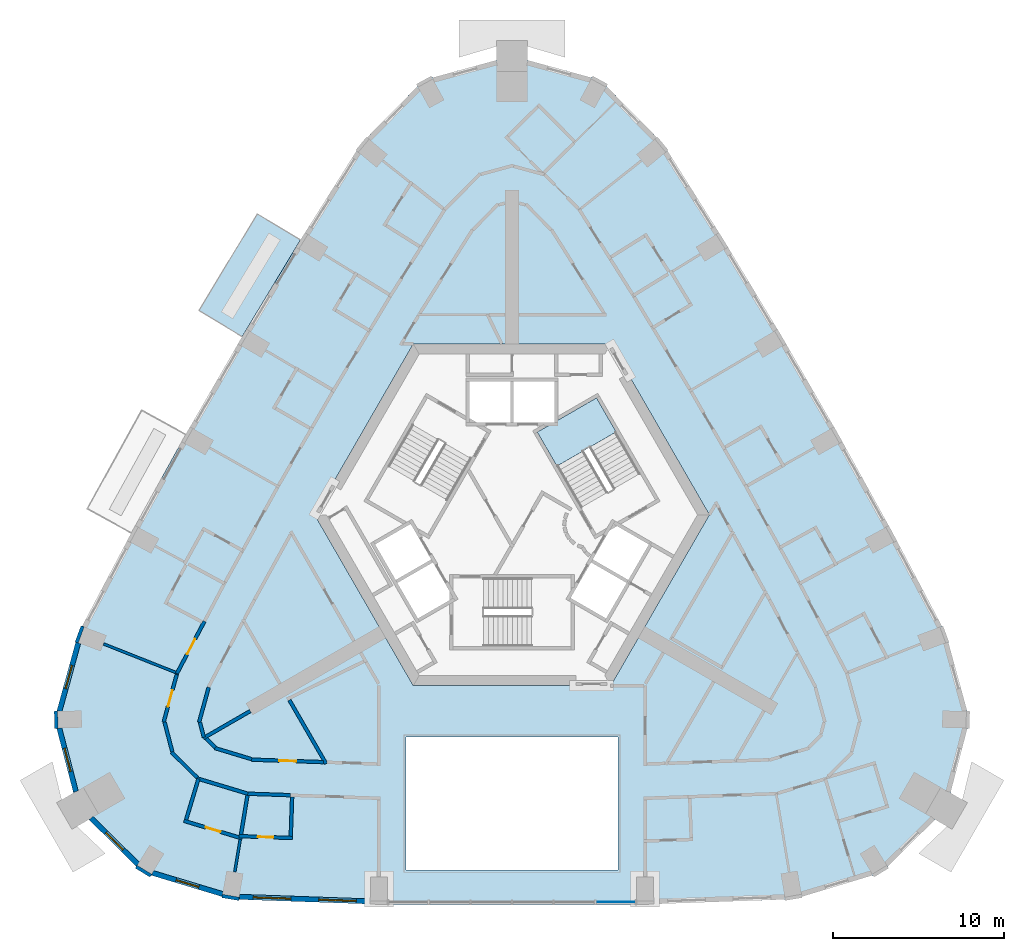
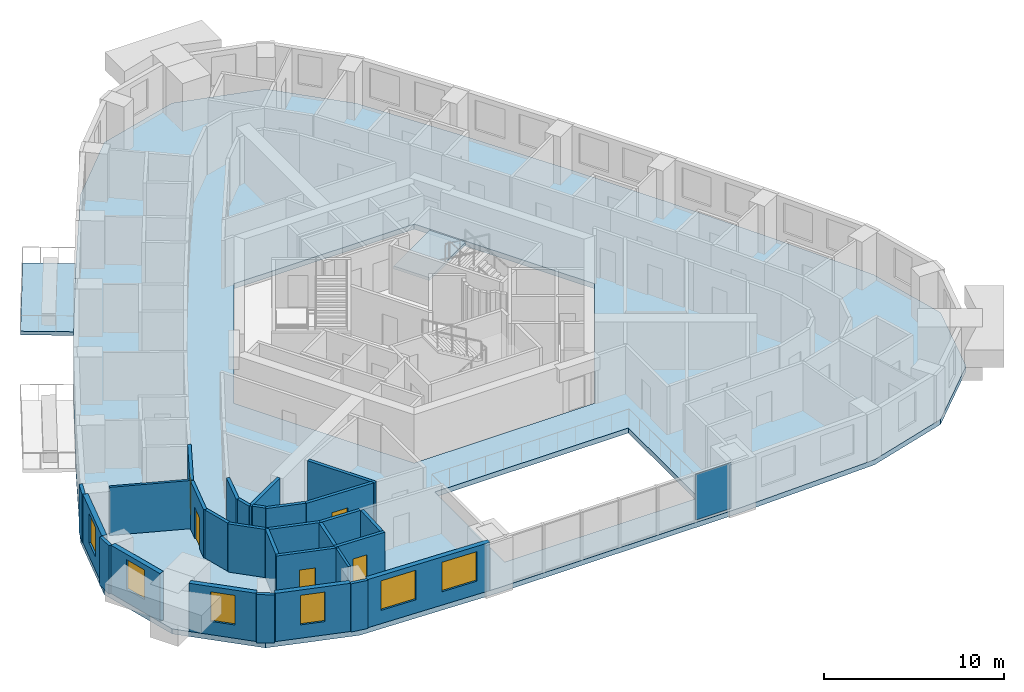
# One storey, part 3 of 14: 29 walls, 6 windows, 5 doors, 3 slabs, 1 plate, 11 openings, 2 elements without a shape of their own.
"""IFC4 building model written with IfcOpenShell, lengths in metres."""

from ifc_helpers import new_model, si_unit, direction, frame, frame_2d, origin, origin_2d, place, context, subcontext, project, spatial, polyline, rectangle, outline, extrude, material, layer, layer_set, type_object, element, fill, aggregate, save


model = new_model("IFC4")

# Units and contexts
model_context = context("Model", 3, precision=1e-05, world=origin(), true_north=direction((0.0, 1.0)))
body_context = subcontext(model_context, "Body", "Model", "MODEL_VIEW")
ifc_project = project(units=[si_unit("LENGTHUNIT", "METRE"), si_unit("AREAUNIT", "SQUARE_METRE"), si_unit("VOLUMEUNIT", "CUBIC_METRE"), si_unit("PLANEANGLEUNIT", "RADIAN"), si_unit("MASSUNIT", "GRAM", prefix="KILO")], contexts=[model_context])

# Site, building, storey
site_placement = place(None, origin())
site = spatial("IfcSite", under=ifc_project, at=site_placement, CompositionType="ELEMENT")
building_placement = place(site_placement, origin())
building = spatial("IfcBuilding", under=site, at=building_placement, Name="Entoto Arch Interchange Tower", CompositionType="ELEMENT")
storey_placement = place(building_placement, frame((0.0, 0.0, 259.39990234375)))
storey = spatial("IfcBuildingStorey", under=building, at=storey_placement, Name="L59", CompositionType="ELEMENT", Elevation=259.39990234375)

# Slab
ifc_material_1 = material(Name="Board-marked precast concrete C50/60", Category="concrete")
ifc_layer_1 = layer(ifc_material_1, 0.25)
ifc_layer_set_1 = layer_set([ifc_layer_1], Name="Board-marked precast concrete C50/60")
slab_type_1 = type_object("IfcSlabType", Name="BALCONY DECK PRECAST 250", PredefinedType="FLOOR", material=ifc_layer_set_1)
slab_1_placement = place(storey_placement, frame((0.0, 0.0, -0.25)))
element("IfcSlab", 1, at=slab_1_placement, inside=storey, type_object=slab_type_1, Name="Planted balcony NW-02 L59", PredefinedType="FLOOR", context=body_context, shape_type="SweptSolid", body=[
    extrude(outline(polyline([(-12.3759765625, 18.58203125), (-15.785888671875, 12.926025390625), (-18.31201171875, 14.448974609375), (-14.902099609375, 20.10498046875), (-12.3759765625, 18.58203125)])), origin(), (0.0, 0.0, 1.0), 0.25),
])

# Stair, slab
ifc_material_2 = material(Name="Concrete C40/50", Category="concrete")
stair_type = type_object("IfcStairType", Name="EXIT STAIR RC 1800", PredefinedType="HALF_TURN_STAIR", material=ifc_material_2)
stair_placement = place(storey_placement, origin())
stair = element("IfcStair", 2, at=stair_placement, inside=storey, type_object=stair_type, Name="L59 Exit stair NE", PredefinedType="HALF_TURN_STAIR")
ifc_layer_2 = layer(ifc_material_2, 0.199951171875)
ifc_layer_set_2 = layer_set([ifc_layer_2], Name="Concrete C40/50")
slab_type_2 = type_object("IfcSlabType", Name="EXIT STAIR LANDING RC 200", PredefinedType="LANDING", material=ifc_layer_set_2)
slab_2_placement = place(storey_placement, frame((0.0, 0.0, 1.60009765625)))
slab_2 = element("IfcSlab", 3, at=slab_2_placement, type_object=slab_type_2, Name="ST-NE landing 1", PredefinedType="LANDING", context=body_context, shape_type="SweptSolid", body=[
    extrude(outline(polyline([(6.093505859375, 7.345947265625), (4.943359375, 9.337890625), (1.479248046875, 7.337890625), (2.62939453125, 5.345947265625), (6.093505859375, 7.345947265625)])), origin(), (0.0, 0.0, 1.0), 0.199951171875),
])
aggregate(stair, [slab_2])

# Curtain wall, plate
ifc_material_3 = material(Name="Aluminium, anodised", Category="aluminium")
curtain_wall_type = type_object("IfcCurtainWallType", Name="CURTAIN WALL ATRIUM", PredefinedType="NOTDEFINED", material=ifc_material_3)
curtain_wall_placement = place(storey_placement, origin())
curtain_wall = element("IfcCurtainWall", 4, at=curtain_wall_placement, inside=storey, type_object=curtain_wall_type, Name="Atrium glazing S-02 L59", PredefinedType="NOTDEFINED")
ifc_material_4 = material(Name="Clear glass, low-e double glazed", Category="glass")
ifc_layer_3 = layer(ifc_material_4, 0.031982421875)
ifc_layer_set_3 = layer_set([ifc_layer_3], Name="Clear glass, low-e double glazed")
plate_type = type_object("IfcPlateType", Name="GLAZING PANEL ATRIUM 32", PredefinedType="CURTAIN_PANEL", material=ifc_layer_set_3)
plate_placement = place(storey_placement, frame((6.0576171875, -20.1640625, 0.080078125), z_axis=(0.0, 0.0, 1.0), x_axis=(1.0, 0.0, 0.0)))
plate = element("IfcPlate", 5, at=plate_placement, type_object=plate_type, Name="CWA panel 6.1", PredefinedType="CURTAIN_PANEL", context=body_context, shape_type="SweptSolid", body=[
    extrude(rectangle(XDim=2.282958984375, YDim=0.031982421875, at=origin_2d()), origin(), (0.0, 0.0, 1.0), 3.10009765625),
])
aggregate(curtain_wall, [plate])

# Slab
ifc_layer_4 = layer(ifc_material_2, 0.340087890625)
ifc_layer_set_4 = layer_set([ifc_layer_4], Name="Concrete C40/50")
slab_type_3 = type_object("IfcSlabType", Name="Post-tensioned flat plate 340 C40/50", PredefinedType="FLOOR", material=ifc_layer_set_4)
slab_3_placement = place(storey_placement, frame((0.0, 0.0, -0.33984375)))
element("IfcSlab", 6, at=slab_3_placement, inside=storey, type_object=slab_type_3, Name="Floor slab L59", PredefinedType="FLOOR", context=body_context, shape_type="SweptSolid", body=[
    extrude(outline(polyline([(-16.47998046875, -19.986083984375), (-7.800048828125, -20.2890625), (7.800048828125, -20.2890625), (16.47998046875, -19.986083984375), (21.60888671875, -18.43798828125), (25.4150390625, -14.674072265625), (26.77197265625, -9.493896484375), (25.388916015625, -4.462890625), (22.280029296875, 1.427978515625), (19.087890625, 7.2080078125), (15.785888671875, 12.926025390625), (12.3759765625, 18.58203125), (8.8291015625, 24.219970703125), (5.1640625, 27.93310546875), (0.0, 29.346923828125), (-5.1640625, 27.93310546875), (-8.8291015625, 24.219970703125), (-12.3759765625, 18.58203125), (-15.785888671875, 12.926025390625), (-19.087890625, 7.2080078125), (-22.280029296875, 1.427978515625), (-25.388916015625, -4.462890625), (-26.77197265625, -9.493896484375), (-25.4150390625, -14.674072265625), (-21.60888671875, -18.43798828125), (-16.47998046875, -19.986083984375)]), holes=[polyline([(6.199951171875, -18.2890625), (6.199951171875, -10.5), (-6.199951171875, -10.5), (-6.199951171875, -18.2890625), (6.199951171875, -18.2890625)]), polyline([(11.547119140625, 2.5), (5.77392578125, 12.5), (-5.77392578125, 12.5), (-11.547119140625, 2.5), (-5.77392578125, -7.5), (5.77392578125, -7.5), (11.547119140625, 2.5)])]), origin(), (0.0, 0.0, 1.0), 0.33984375),
])

# Walls
ifc_material_5 = material(Name="Gypsum board partition on steel studs", Category="steel")
ifc_layer_5 = layer(ifc_material_5, 0.14990234375)
ifc_layer_set_5 = layer_set([ifc_layer_5], Name="Gypsum board partition on steel studs")
wall_type_1 = type_object("IfcWallType", Name="PARTITION 150", PredefinedType="PARTITIONING", material=ifc_layer_set_5)
wall_1_placement = place(storey_placement, frame((-19.4970703125, -6.794921875, 0.0), z_axis=(0.0, 0.0, 1.0), x_axis=(-0.929826906887, 0.367997178289, 0.0)))
element("IfcWall", 7, at=wall_1_placement, inside=storey, type_object=wall_type_1, Name="wall:L59:p174", PredefinedType="PARTITIONING", context=body_context, shape_type="SweptSolid", body=[
    extrude(rectangle(XDim=4.717041015625, YDim=0.14990234375, at=frame_2d((2.3583984375, 0.0))), origin(), (0.0, 0.0, 1.0), 3.260009765625),
])
wall_2_placement = place(storey_placement, frame((-15.903076171875, -16.501953125, 0.0), z_axis=(0.0, 0.0, 1.0), x_axis=(-0.163715562906, -0.986507584594, 0.0)))
element("IfcWall", 8, at=wall_2_placement, inside=storey, type_object=wall_type_1, Name="wall:L59:p177", PredefinedType="PARTITIONING", context=body_context, shape_type="SweptSolid", body=[
    extrude(rectangle(XDim=1.911865234375, YDim=0.14990234375, at=frame_2d((0.9560546875, 0.0))), origin(), (0.0, 0.0, 1.0), 3.260009765625),
])
ifc_layer_6 = layer(ifc_material_5, 0.199951171875)
ifc_layer_set_6 = layer_set([ifc_layer_6], Name="Gypsum board partition on steel studs")
wall_type_2 = type_object("IfcWallType", Name="PARTITION 200", PredefinedType="PARTITIONING", material=ifc_layer_set_6)
wall_3_placement = place(storey_placement, frame((-17.74609375, -7.595947265625, 0.0), z_axis=(0.0, 0.0, 1.0), x_axis=(-0.264859637197, -0.96428697626, 0.0)))
element("IfcWall", 9, at=wall_3_placement, inside=storey, type_object=wall_type_2, Name="wall:L59:p031", PredefinedType="PARTITIONING", context=body_context, shape_type="SweptSolid", body=[
    extrude(rectangle(XDim=2.121826171875, YDim=0.199951171875, at=frame_2d((1.06103515625, 0.0))), origin(), (0.0, 0.0, 1.0), 3.260009765625),
])
wall_4_placement = place(storey_placement, frame((-18.257080078125, -9.64208984375, 0.0), z_axis=(0.0, 0.0, 1.0), x_axis=(0.253407342366, -0.967359663639, 0.0)))
element("IfcWall", 10, at=wall_4_placement, inside=storey, type_object=wall_type_2, Name="wall:L59:p032", PredefinedType="PARTITIONING", context=body_context, shape_type="SweptSolid", body=[
    extrude(rectangle(XDim=0.907470703125, YDim=0.199951171875, at=frame_2d((0.45361328125, 0.0))), origin(), (0.0, 0.0, 1.0), 3.260009765625),
])
wall_5_placement = place(storey_placement, frame((-17.889892578125, -10.583984375, 0.0), z_axis=(0.0, 0.0, 1.0), x_axis=(0.711042348586, -0.70314918653, 0.0)))
element("IfcWall", 11, at=wall_5_placement, inside=storey, type_object=wall_type_2, Name="wall:L59:p033", PredefinedType="PARTITIONING", context=body_context, shape_type="SweptSolid", body=[
    extrude(rectangle(XDim=0.742431640625, YDim=0.199951171875, at=frame_2d((0.37109375, 0.0))), origin(), (0.0, 0.0, 1.0), 3.260009765625),
])
wall_6_placement = place(storey_placement, frame((-17.385986328125, -11.14697265625, 0.0), z_axis=(0.0, 0.0, 1.0), x_axis=(0.957321496956, -0.289025174451, 0.0)))
element("IfcWall", 12, at=wall_6_placement, inside=storey, type_object=wall_type_2, Name="wall:L59:p034", PredefinedType="PARTITIONING", context=body_context, shape_type="SweptSolid", body=[
    extrude(rectangle(XDim=2.256103515625, YDim=0.199951171875, at=frame_2d((1.1279296875, 0.0))), origin(), (0.0, 0.0, 1.0), 3.260009765625),
])

# Wall, opening, door
wall_7_placement = place(storey_placement, frame((-15.22998046875, -11.824951171875, 0.0), z_axis=(0.0, 0.0, 1.0), x_axis=(0.999397560436, -0.0347061406, 0.0)))
wall_7 = element("IfcWall", 13, at=wall_7_placement, inside=storey, type_object=wall_type_2, Name="wall:L59:p035", PredefinedType="PARTITIONING", context=body_context, shape_type="SweptSolid", body=[
    extrude(rectangle(XDim=4.20654296875, YDim=0.199951171875, at=frame_2d((2.103271484375, 0.0))), origin(), (0.0, 0.0, 1.0), 3.260009765625),
])
opening_1_placement = place(wall_7_placement, frame((1.60302734375, 0.0, 0.0)))
opening_1 = element("IfcOpeningElement", 14, at=opening_1_placement, cuts=wall_7, Name="Opening L59-D43", PredefinedType="OPENING", context=body_context, shape_type="SweptSolid", body=[
    extrude(rectangle(XDim=1.0, YDim=2.10009765625, at=frame_2d((0.5, 1.050048828125))), frame((0.0, 0.10986328125, 0.0), z_axis=(0.0, -1.0, 0.0), x_axis=(1.0, 0.0, 0.0)), (0.0, 0.0, 1.0), 0.219970703125),
])
ifc_material_6 = material(Name="Timber door leaf in Steel S235 frame", Category="steel")
door_type_1 = type_object("IfcDoorType", Name="DOOR DS-10 1000x2100", OperationType="SINGLE_SWING_LEFT", PredefinedType="DOOR", material=ifc_material_6)
door_1_placement = place(opening_1_placement, origin())
door_1 = element("IfcDoor", 15, at=door_1_placement, inside=storey, type_object=door_type_1, Name="door:L59:43", OperationType="SINGLE_SWING_LEFT", OverallHeight=2.10009765625, OverallWidth=1.0, PredefinedType="DOOR", context=body_context, shape_type="SweptSolid", body=[
    extrude(rectangle(XDim=1.0, YDim=2.10009765625, at=frame_2d((0.5, 1.050048828125))), frame((0.0, 0.02490234375, 0.0), z_axis=(0.0, -1.0, 0.0), x_axis=(1.0, 0.0, 0.0)), (0.0, 0.0, 1.0), 0.050048828125),
])
fill(opening_1, door_1)

wall_8_placement = place(storey_placement, frame((-19.60205078125, -6.781005859375, 0.0), z_axis=(0.0, 0.0, 1.0), x_axis=(0.466827780692, 0.884348247679, 0.0)))
wall_8 = element("IfcWall", 16, at=wall_8_placement, inside=storey, type_object=wall_type_2, Name="wall:L59:p064", PredefinedType="PARTITIONING", context=body_context, shape_type="SweptSolid", body=[
    extrude(rectangle(XDim=3.451171875, YDim=0.199951171875, at=frame_2d((1.7255859375, 0.0))), origin(), (0.0, 0.0, 1.0), 3.260009765625),
])
opening_2_placement = place(wall_8_placement, frame((1.27490234375, 0.0, 0.0)))
opening_2 = element("IfcOpeningElement", 17, at=opening_2_placement, cuts=wall_8, Name="Opening L59-D27", PredefinedType="OPENING", context=body_context, shape_type="SweptSolid", body=[
    extrude(rectangle(XDim=1.0, YDim=2.10009765625, at=frame_2d((0.5, 1.050048828125))), frame((0.0, 0.10986328125, 0.0), z_axis=(0.0, -1.0, 0.0), x_axis=(1.0, 0.0, 0.0)), (0.0, 0.0, 1.0), 0.219970703125),
])
ifc_material_7 = material(Name="Fire-rated Steel S235 door and frame", Category="steel")
door_type_2 = type_object("IfcDoorType", Name="DOOR FD-10 1000x2100", OperationType="SINGLE_SWING_LEFT", PredefinedType="DOOR", material=ifc_material_7)
door_2_placement = place(opening_2_placement, origin())
door_2 = element("IfcDoor", 18, at=door_2_placement, inside=storey, type_object=door_type_2, Name="door:L59:27", OperationType="SINGLE_SWING_LEFT", OverallHeight=2.10009765625, OverallWidth=1.0, PredefinedType="DOOR", context=body_context, shape_type="SweptSolid", body=[
    extrude(rectangle(XDim=1.0, YDim=2.10009765625, at=frame_2d((0.5, 1.050048828125))), frame((0.0, 0.02490234375, 0.0), z_axis=(0.0, -1.0, 0.0), x_axis=(1.0, 0.0, 0.0)), (0.0, 0.0, 1.0), 0.050048828125),
])
fill(opening_2, door_2)

# Walls
wall_9_placement = place(storey_placement, frame((-18.4150390625, -12.876953125, 0.0), z_axis=(0.0, 0.0, 1.0), x_axis=(-0.711078065077, 0.70311306727, 0.0)))
element("IfcWall", 19, at=wall_9_placement, inside=storey, type_object=wall_type_2, Name="wall:L59:p066", PredefinedType="PARTITIONING", context=body_context, shape_type="SweptSolid", body=[
    extrude(rectangle(XDim=2.114990234375, YDim=0.199951171875, at=frame_2d((1.0576171875, 0.0))), origin(), (0.0, 0.0, 1.0), 3.260009765625),
])
wall_10_placement = place(storey_placement, frame((-19.873046875, -11.363037109375, 0.0), z_axis=(0.0, 0.0, 1.0), x_axis=(-0.253192482031, 0.967415922467, 0.0)))
element("IfcWall", 20, at=wall_10_placement, inside=storey, type_object=wall_type_2, Name="wall:L59:p067", PredefinedType="PARTITIONING", context=body_context, shape_type="SweptSolid", body=[
    extrude(rectangle(XDim=1.79248046875, YDim=0.199951171875, at=frame_2d((0.896240234375, 0.0))), origin(), (0.0, 0.0, 1.0), 3.260009765625),
])

# Wall, opening, door
wall_11_placement = place(storey_placement, frame((-20.37890625, -9.62890625, 0.0), z_axis=(0.0, 0.0, 1.0), x_axis=(0.26487636938, 0.964282380293, 0.0)))
wall_11 = element("IfcWall", 21, at=wall_11_placement, inside=storey, type_object=wall_type_2, Name="wall:L59:p068", PredefinedType="PARTITIONING", context=body_context, shape_type="SweptSolid", body=[
    extrude(rectangle(XDim=2.876708984375, YDim=0.199951171875, at=frame_2d((1.4384765625, 0.0))), origin(), (0.0, 0.0, 1.0), 3.260009765625),
])
opening_3_placement = place(wall_11_placement, frame((0.93798828125, 0.0, 0.0)))
opening_3 = element("IfcOpeningElement", 22, at=opening_3_placement, cuts=wall_11, Name="Opening L59-D29", PredefinedType="OPENING", context=body_context, shape_type="SweptSolid", body=[
    extrude(rectangle(XDim=1.0, YDim=2.10009765625, at=frame_2d((0.5, 1.050048828125))), frame((0.0, 0.10986328125, 0.0), z_axis=(0.0, -1.0, 0.0), x_axis=(1.0, 0.0, 0.0)), (0.0, 0.0, 1.0), 0.219970703125),
])
door_3_placement = place(opening_3_placement, origin())
door_3 = element("IfcDoor", 23, at=door_3_placement, inside=storey, type_object=door_type_2, Name="door:L59:29", OperationType="SINGLE_SWING_LEFT", OverallHeight=2.10009765625, OverallWidth=1.0, PredefinedType="DOOR", context=body_context, shape_type="SweptSolid", body=[
    extrude(rectangle(XDim=1.0, YDim=2.10009765625, at=frame_2d((0.5, 1.050048828125))), frame((0.0, 0.02490234375, 0.0), z_axis=(0.0, -1.0, 0.0), x_axis=(1.0, 0.0, 0.0)), (0.0, 0.0, 1.0), 0.050048828125),
])
fill(opening_3, door_3)

# Walls
wall_12_placement = place(storey_placement, frame((-15.363037109375, -13.846923828125, 0.0), z_axis=(0.0, 0.0, 1.0), x_axis=(-0.957320969561, 0.289026921303, 0.0)))
element("IfcWall", 24, at=wall_12_placement, inside=storey, type_object=wall_type_2, Name="wall:L59:p069", PredefinedType="PARTITIONING", context=body_context, shape_type="SweptSolid", body=[
    extrude(rectangle(XDim=3.214111328125, YDim=0.199951171875, at=frame_2d((1.60693359375, 0.0))), origin(), (0.0, 0.0, 1.0), 3.260009765625),
])
wall_13_placement = place(storey_placement, frame((-12.9609375, -13.905029296875, 0.0), z_axis=(0.0, 0.0, 1.0), x_axis=(-0.999395279268, 0.034771766949, 0.0)))
element("IfcWall", 25, at=wall_13_placement, inside=storey, type_object=wall_type_2, Name="wall:L59:p071", PredefinedType="PARTITIONING", context=body_context, shape_type="SweptSolid", body=[
    extrude(rectangle(XDim=2.49951171875, YDim=0.199951171875, at=frame_2d((1.249755859375, 0.0))), origin(), (0.0, 0.0, 1.0), 3.260009765625),
])
wall_14_placement = place(storey_placement, frame((-10.8759765625, -12.06201171875, 0.0), z_axis=(0.0, 0.0, 1.0), x_axis=(-0.499977877545, 0.866038175813, 0.0)))
element("IfcWall", 26, at=wall_14_placement, inside=storey, type_object=wall_type_2, Name="wall:L59:p120", PredefinedType="PARTITIONING", context=body_context, shape_type="SweptSolid", body=[
    extrude(rectangle(XDim=4.302490234375, YDim=0.199951171875, at=frame_2d((2.1513671875, 0.0))), origin(), (0.0, 0.0, 1.0), 3.260009765625),
])
wall_15_placement = place(storey_placement, frame((-15.31005859375, -8.98291015625, 0.0), z_axis=(0.0, 0.0, 1.0), x_axis=(-0.866047943894, -0.499960957353, 0.0)))
element("IfcWall", 27, at=wall_15_placement, inside=storey, type_object=wall_type_2, Name="wall:L59:p121", PredefinedType="PARTITIONING", context=body_context, shape_type="SweptSolid", body=[
    extrude(rectangle(XDim=3.160400390625, YDim=0.199951171875, at=frame_2d((1.580078125, 0.0))), origin(), (0.0, 0.0, 1.0), 3.260009765625),
])
wall_16_placement = place(storey_placement, frame((-18.343994140625, -12.947021484375, 0.0), z_axis=(0.0, 0.0, 1.0), x_axis=(-0.288709122303, -0.957416859419, 0.0)))
element("IfcWall", 28, at=wall_16_placement, inside=storey, type_object=wall_type_2, Name="wall:L59:p175", PredefinedType="PARTITIONING", context=body_context, shape_type="SweptSolid", body=[
    extrude(rectangle(XDim=2.50048828125, YDim=0.199951171875, at=frame_2d((1.250244140625, 0.0))), origin(), (0.0, 0.0, 1.0), 3.260009765625),
])

# Wall, opening, door
wall_17_placement = place(storey_placement, frame((-19.19091796875, -15.406982421875, 0.0), z_axis=(0.0, 0.0, 1.0), x_axis=(0.957443200759, -0.28862175476, 0.0)))
wall_17 = element("IfcWall", 29, at=wall_17_placement, inside=storey, type_object=wall_type_2, Name="wall:L59:p176", PredefinedType="PARTITIONING", context=body_context, shape_type="SweptSolid", body=[
    extrude(rectangle(XDim=3.551025390625, YDim=0.199951171875, at=frame_2d((1.775390625, 0.0))), origin(), (0.0, 0.0, 1.0), 3.260009765625),
])
opening_4_placement = place(wall_17_placement, frame((1.324951171875, 0.0, 0.0)))
opening_4 = element("IfcOpeningElement", 30, at=opening_4_placement, cuts=wall_17, Name="Opening L59-D30", PredefinedType="OPENING", context=body_context, shape_type="SweptSolid", body=[
    extrude(rectangle(XDim=0.89990234375, YDim=2.10009765625, at=frame_2d((0.449951171875, 1.050048828125))), frame((0.0, 0.10986328125, 0.0), z_axis=(0.0, -1.0, 0.0), x_axis=(1.0, 0.0, 0.0)), (0.0, 0.0, 1.0), 0.219970703125),
])
door_type_3 = type_object("IfcDoorType", Name="DOOR DS-09 900x2100", OperationType="SINGLE_SWING_LEFT", PredefinedType="DOOR", material=ifc_material_6)
door_4_placement = place(opening_4_placement, origin())
door_4 = element("IfcDoor", 31, at=door_4_placement, inside=storey, type_object=door_type_3, Name="door:L59:30", OperationType="SINGLE_SWING_LEFT", OverallHeight=2.10009765625, OverallWidth=0.89990234375, PredefinedType="DOOR", context=body_context, shape_type="SweptSolid", body=[
    extrude(rectangle(XDim=0.89990234375, YDim=2.10009765625, at=frame_2d((0.449951171875, 1.050048828125))), frame((0.0, 0.02490234375, 0.0), z_axis=(0.0, -1.0, 0.0), x_axis=(1.0, 0.0, 0.0)), (0.0, 0.0, 1.0), 0.050048828125),
])
fill(opening_4, door_4)

# Wall
wall_18_placement = place(storey_placement, frame((-15.47607421875, -13.9169921875, 0.0), z_axis=(0.0, 0.0, 1.0), x_axis=(-0.162964805234, -0.986631882849, 0.0)))
element("IfcWall", 32, at=wall_18_placement, inside=storey, type_object=wall_type_2, Name="wall:L59:p178", PredefinedType="PARTITIONING", context=body_context, shape_type="SweptSolid", body=[
    extrude(rectangle(XDim=2.319091796875, YDim=0.199951171875, at=frame_2d((1.15966796875, 0.0))), origin(), (0.0, 0.0, 1.0), 3.260009765625),
])

# Wall, opening, door
wall_19_placement = place(storey_placement, frame((-15.970947265625, -16.300048828125, 0.0), z_axis=(0.0, 0.0, 1.0), x_axis=(0.999370791233, -0.035468600627, 0.0)))
wall_19 = element("IfcWall", 33, at=wall_19_placement, inside=storey, type_object=wall_type_2, Name="wall:L59:p179", PredefinedType="PARTITIONING", context=body_context, shape_type="SweptSolid", body=[
    extrude(rectangle(XDim=3.125, YDim=0.199951171875, at=frame_2d((1.5625, 0.0))), origin(), (0.0, 0.0, 1.0), 3.260009765625),
])
opening_5_placement = place(wall_19_placement, frame((1.112060546875, 0.0, 0.0)))
opening_5 = element("IfcOpeningElement", 34, at=opening_5_placement, cuts=wall_19, Name="Opening L59-D32", PredefinedType="OPENING", context=body_context, shape_type="SweptSolid", body=[
    extrude(rectangle(XDim=0.89990234375, YDim=2.10009765625, at=frame_2d((0.449951171875, 1.050048828125))), frame((0.0, 0.10986328125, 0.0), z_axis=(0.0, -1.0, 0.0), x_axis=(1.0, 0.0, 0.0)), (0.0, 0.0, 1.0), 0.219970703125),
])
door_5_placement = place(opening_5_placement, origin())
door_5 = element("IfcDoor", 35, at=door_5_placement, inside=storey, type_object=door_type_3, Name="door:L59:32", OperationType="SINGLE_SWING_LEFT", OverallHeight=2.10009765625, OverallWidth=0.89990234375, PredefinedType="DOOR", context=body_context, shape_type="SweptSolid", body=[
    extrude(rectangle(XDim=0.89990234375, YDim=2.10009765625, at=frame_2d((0.449951171875, 1.050048828125))), frame((0.0, 0.02490234375, 0.0), z_axis=(0.0, -1.0, 0.0), x_axis=(1.0, 0.0, 0.0)), (0.0, 0.0, 1.0), 0.050048828125),
])
fill(opening_5, door_5)

# Wall
wall_20_placement = place(storey_placement, frame((-12.945068359375, -16.306884765625, 0.0), z_axis=(0.0, 0.0, 1.0), x_axis=(0.035252193458, 0.999378448265, 0.0)))
element("IfcWall", 36, at=wall_20_placement, inside=storey, type_object=wall_type_2, Name="wall:L59:p180", PredefinedType="PARTITIONING", context=body_context, shape_type="SweptSolid", body=[
    extrude(rectangle(XDim=2.29931640625, YDim=0.199951171875, at=frame_2d((1.149658203125, 0.0))), origin(), (0.0, 0.0, 1.0), 3.260009765625),
])

# Wall, openings, windows
ifc_material_8 = material(Name="Welded tuff (ignimbrite) cladding, warm buff", Category="masonry")
ifc_layer_7 = layer(ifc_material_8, 0.300048828125)
ifc_layer_set_7 = layer_set([ifc_layer_7], Name="Welded tuff (ignimbrite) cladding, warm buff")
wall_type_3 = type_object("IfcWallType", Name="STONE INFILL WALL 300", PredefinedType="STANDARD", material=ifc_layer_set_7)
wall_21_placement = place(storey_placement, frame((-15.951904296875, -19.85400390625, 0.0), z_axis=(0.0, 0.0, 1.0), x_axis=(0.999387577449, -0.034992428331, 0.0)))
wall_21 = element("IfcWall", 37, at=wall_21_placement, inside=storey, type_object=wall_type_3, Name="Facade wall S-01 L59", PredefinedType="STANDARD", context=body_context, shape_type="SweptSolid", body=[
    extrude(rectangle(XDim=7.66064453125, YDim=0.300048828125, at=frame_2d((3.830322265625, 0.0))), origin(), (0.0, 0.0, 1.0), 3.260009765625),
])
opening_6_placement = place(wall_21_placement, frame((0.81494140625, 0.0, 0.89990234375)))
opening_6 = element("IfcOpeningElement", 38, at=opening_6_placement, cuts=wall_21, Name="Opening WH-A", PredefinedType="OPENING", context=body_context, shape_type="SweptSolid", body=[
    extrude(rectangle(XDim=2.199951171875, YDim=2.0, at=frame_2d((1.10009765625, 1.0))), frame((0.0, 0.16015625, 0.0), z_axis=(0.0, -1.0, 0.0), x_axis=(1.0, 0.0, 0.0)), (0.0, 0.0, 1.0), 0.320068359375),
])
opening_7_placement = place(wall_21_placement, frame((4.64599609375, 0.0, 0.89990234375)))
opening_7 = element("IfcOpeningElement", 39, at=opening_7_placement, cuts=wall_21, Name="Opening WH-A", PredefinedType="OPENING", context=body_context, shape_type="SweptSolid", body=[
    extrude(rectangle(XDim=2.199951171875, YDim=2.0, at=frame_2d((1.10009765625, 1.0))), frame((0.0, 0.16015625, 0.0), z_axis=(0.0, -1.0, 0.0), x_axis=(1.0, 0.0, 0.0)), (0.0, 0.0, 1.0), 0.320068359375),
])
window_type_1 = type_object("IfcWindowType", Name="WINDOW WH-A 2200x2000", PartitioningType="DOUBLE_PANEL_VERTICAL", PredefinedType="WINDOW", material=ifc_material_4)
window_1_placement = place(opening_6_placement, origin())
window_1 = element("IfcWindow", 40, at=window_1_placement, inside=storey, type_object=window_type_1, Name="Window WH-A S-01 L59", OverallHeight=2.0, OverallWidth=2.199951171875, PartitioningType="SINGLE_PANEL", PredefinedType="WINDOW", context=body_context, shape_type="SweptSolid", body=[
    extrude(rectangle(XDim=2.199951171875, YDim=2.0, at=frame_2d((1.10009765625, 1.0))), frame((0.0, 0.030029296875, 0.0), z_axis=(0.0, -1.0, 0.0), x_axis=(1.0, 0.0, 0.0)), (0.0, 0.0, 1.0), 0.06005859375),
])
fill(opening_6, window_1)
window_2_placement = place(opening_7_placement, origin())
window_2 = element("IfcWindow", 41, at=window_2_placement, inside=storey, type_object=window_type_1, Name="Window WH-A S-01 L59", OverallHeight=2.0, OverallWidth=2.199951171875, PartitioningType="SINGLE_PANEL", PredefinedType="WINDOW", context=body_context, shape_type="SweptSolid", body=[
    extrude(rectangle(XDim=2.199951171875, YDim=2.0, at=frame_2d((1.10009765625, 1.0))), frame((0.0, 0.030029296875, 0.0), z_axis=(0.0, -1.0, 0.0), x_axis=(1.0, 0.0, 0.0)), (0.0, 0.0, 1.0), 0.06005859375),
])
fill(opening_7, window_2)

# Wall, opening, window
wall_22_placement = place(storey_placement, frame((-25.381103515625, -4.998046875, 0.0), z_axis=(0.0, 0.0, 1.0), x_axis=(-0.264924661919, -0.964269113633, 0.0)))
wall_22 = element("IfcWall", 42, at=wall_22_placement, inside=storey, type_object=wall_type_3, Name="Facade wall SW-01 L59", PredefinedType="STANDARD", context=body_context, shape_type="SweptSolid", body=[
    extrude(rectangle(XDim=4.13671875, YDim=0.300048828125, at=frame_2d((2.068359375, 0.0))), origin(), (0.0, 0.0, 1.0), 3.260009765625),
])
opening_8_placement = place(wall_22_placement, frame((1.367919921875, 0.0, 0.89990234375)))
opening_8 = element("IfcOpeningElement", 43, at=opening_8_placement, cuts=wall_22, Name="Opening WH-B", PredefinedType="OPENING", context=body_context, shape_type="SweptSolid", body=[
    extrude(rectangle(XDim=1.39990234375, YDim=2.0, at=frame_2d((0.699951171875, 1.0))), frame((0.0, 0.16015625, 0.0), z_axis=(0.0, -1.0, 0.0), x_axis=(1.0, 0.0, 0.0)), (0.0, 0.0, 1.0), 0.320068359375),
])
window_type_2 = type_object("IfcWindowType", Name="WINDOW WH-B 1400x2000", PartitioningType="DOUBLE_PANEL_VERTICAL", PredefinedType="WINDOW", material=ifc_material_4)
window_3_placement = place(opening_8_placement, origin())
window_3 = element("IfcWindow", 44, at=window_3_placement, inside=storey, type_object=window_type_2, Name="Window WH-B SW-01 L59", OverallHeight=2.0, OverallWidth=1.39990234375, PartitioningType="SINGLE_PANEL", PredefinedType="WINDOW", context=body_context, shape_type="SweptSolid", body=[
    extrude(rectangle(XDim=1.39990234375, YDim=2.0, at=frame_2d((0.699951171875, 1.0))), frame((0.0, 0.030029296875, 0.0), z_axis=(0.0, -1.0, 0.0), x_axis=(1.0, 0.0, 0.0)), (0.0, 0.0, 1.0), 0.06005859375),
])
fill(opening_8, window_3)

wall_23_placement = place(storey_placement, frame((-26.488037109375, -9.986083984375, 0.0), z_axis=(0.0, 0.0, 1.0), x_axis=(0.253248721632, -0.967401201669, 0.0)))
wall_23 = element("IfcWall", 45, at=wall_23_placement, inside=storey, type_object=wall_type_3, Name="Facade wall SW-02 L59", PredefinedType="STANDARD", context=body_context, shape_type="SweptSolid", body=[
    extrude(rectangle(XDim=3.833984375, YDim=0.300048828125, at=frame_2d((1.9169921875, 0.0))), origin(), (0.0, 0.0, 1.0), 3.260009765625),
])
opening_9_placement = place(wall_23_placement, frame((1.217041015625, 0.0, 0.89990234375)))
opening_9 = element("IfcOpeningElement", 46, at=opening_9_placement, cuts=wall_23, Name="Opening WH-B", PredefinedType="OPENING", context=body_context, shape_type="SweptSolid", body=[
    extrude(rectangle(XDim=1.39990234375, YDim=2.0, at=frame_2d((0.699951171875, 1.0))), frame((0.0, 0.16015625, 0.0), z_axis=(0.0, -1.0, 0.0), x_axis=(1.0, 0.0, 0.0)), (0.0, 0.0, 1.0), 0.320068359375),
])
window_4_placement = place(opening_9_placement, origin())
window_4 = element("IfcWindow", 47, at=window_4_placement, inside=storey, type_object=window_type_2, Name="Window WH-B SW-02 L59", OverallHeight=2.0, OverallWidth=1.39990234375, PartitioningType="SINGLE_PANEL", PredefinedType="WINDOW", context=body_context, shape_type="SweptSolid", body=[
    extrude(rectangle(XDim=1.39990234375, YDim=2.0, at=frame_2d((0.699951171875, 1.0))), frame((0.0, 0.030029296875, 0.0), z_axis=(0.0, -1.0, 0.0), x_axis=(1.0, 0.0, 0.0)), (0.0, 0.0, 1.0), 0.06005859375),
])
fill(opening_9, window_4)

wall_24_placement = place(storey_placement, frame((-24.617919921875, -15.251953125, 0.0), z_axis=(0.0, 0.0, 1.0), x_axis=(0.71110935557, -0.703081420904, 0.0)))
wall_24 = element("IfcWall", 48, at=wall_24_placement, inside=storey, type_object=wall_type_3, Name="Facade wall SW-03 L59", PredefinedType="STANDARD", context=body_context, shape_type="SweptSolid", body=[
    extrude(rectangle(XDim=3.831787109375, YDim=0.300048828125, at=frame_2d((1.916015625, 0.0))), origin(), (0.0, 0.0, 1.0), 3.260009765625),
])
opening_10_placement = place(wall_24_placement, frame((1.216064453125, 0.0, 0.89990234375)))
opening_10 = element("IfcOpeningElement", 49, at=opening_10_placement, cuts=wall_24, Name="Opening WH-B", PredefinedType="OPENING", context=body_context, shape_type="SweptSolid", body=[
    extrude(rectangle(XDim=1.39990234375, YDim=2.0, at=frame_2d((0.699951171875, 1.0))), frame((0.0, 0.16015625, 0.0), z_axis=(0.0, -1.0, 0.0), x_axis=(1.0, 0.0, 0.0)), (0.0, 0.0, 1.0), 0.320068359375),
])
window_5_placement = place(opening_10_placement, origin())
window_5 = element("IfcWindow", 50, at=window_5_placement, inside=storey, type_object=window_type_2, Name="Window WH-B SW-03 L59", OverallHeight=2.0, OverallWidth=1.39990234375, PartitioningType="SINGLE_PANEL", PredefinedType="WINDOW", context=body_context, shape_type="SweptSolid", body=[
    extrude(rectangle(XDim=1.39990234375, YDim=2.0, at=frame_2d((0.699951171875, 1.0))), frame((0.0, 0.030029296875, 0.0), z_axis=(0.0, -1.0, 0.0), x_axis=(1.0, 0.0, 0.0)), (0.0, 0.0, 1.0), 0.06005859375),
])
fill(opening_10, window_5)

wall_25_placement = place(storey_placement, frame((-21.033935546875, -18.455078125, 0.0), z_axis=(0.0, 0.0, 1.0), x_axis=(0.957346168713, -0.288943442997, 0.0)))
wall_25 = element("IfcWall", 51, at=wall_25_placement, inside=storey, type_object=wall_type_3, Name="Facade wall SW-04 L59", PredefinedType="STANDARD", context=body_context, shape_type="SweptSolid", body=[
    extrude(rectangle(XDim=4.280517578125, YDim=0.300048828125, at=frame_2d((2.14013671875, 0.0))), origin(), (0.0, 0.0, 1.0), 3.260009765625),
])
opening_11_placement = place(wall_25_placement, frame((1.43994140625, 0.0, 0.89990234375)))
opening_11 = element("IfcOpeningElement", 52, at=opening_11_placement, cuts=wall_25, Name="Opening WH-B", PredefinedType="OPENING", context=body_context, shape_type="SweptSolid", body=[
    extrude(rectangle(XDim=1.39990234375, YDim=2.0, at=frame_2d((0.699951171875, 1.0))), frame((0.0, 0.16015625, 0.0), z_axis=(0.0, -1.0, 0.0), x_axis=(1.0, 0.0, 0.0)), (0.0, 0.0, 1.0), 0.320068359375),
])
window_6_placement = place(opening_11_placement, origin())
window_6 = element("IfcWindow", 53, at=window_6_placement, inside=storey, type_object=window_type_2, Name="Window WH-B SW-04 L59", OverallHeight=2.0, OverallWidth=1.39990234375, PartitioningType="SINGLE_PANEL", PredefinedType="WINDOW", context=body_context, shape_type="SweptSolid", body=[
    extrude(rectangle(XDim=1.39990234375, YDim=2.0, at=frame_2d((0.699951171875, 1.0))), frame((0.0, 0.030029296875, 0.0), z_axis=(0.0, -1.0, 0.0), x_axis=(1.0, 0.0, 0.0)), (0.0, 0.0, 1.0), 0.06005859375),
])
fill(opening_11, window_6)

# Walls
ifc_layer_8 = layer(ifc_material_8, 0.199951171875)
ifc_layer_set_8 = layer_set([ifc_layer_8], Name="Welded tuff (ignimbrite) cladding, warm buff")
wall_type_4 = type_object("IfcWallType", Name="STONE PIER CLADDING 200", PredefinedType="STANDARD", material=ifc_layer_set_8)
wall_26_placement = place(storey_placement, frame((-25.1220703125, -4.029052734375, 0.0), z_axis=(0.0, 0.0, 1.0), x_axis=(-0.346892928577, -0.937904737222, 0.0)))
element("IfcWall", 54, at=wall_26_placement, inside=storey, type_object=wall_type_4, Name="Stone pier NW06 L59", PredefinedType="STANDARD", context=body_context, shape_type="SweptSolid", body=[
    extrude(rectangle(XDim=1.0, YDim=0.199951171875, at=frame_2d((0.5, 0.0))), origin(), (0.0, 0.0, 1.0), 3.260009765625),
])
wall_27_placement = place(storey_placement, frame((-16.9560546875, -19.803955078125, 0.0), z_axis=(0.0, 0.0, 1.0), x_axis=(0.985961725342, -0.166971483074, 0.0)))
element("IfcWall", 55, at=wall_27_placement, inside=storey, type_object=wall_type_4, Name="Stone pier S01 L59", PredefinedType="STANDARD", context=body_context, shape_type="SweptSolid", body=[
    extrude(rectangle(XDim=1.000244140625, YDim=0.199951171875, at=frame_2d((0.5, 0.0))), origin(), (0.0, 0.0, 1.0), 3.260009765625),
])
wall_28_placement = place(storey_placement, frame((-26.68408203125, -8.991943359375, 0.0), z_axis=(0.0, 0.0, 1.0), x_axis=(0.024186470916, -0.999707464524, 0.0)))
element("IfcWall", 56, at=wall_28_placement, inside=storey, type_object=wall_type_4, Name="Stone pier SW1 L59", PredefinedType="STANDARD", context=body_context, shape_type="SweptSolid", body=[
    extrude(rectangle(XDim=0.999267578125, YDim=0.199951171875, at=frame_2d((0.49951171875, 0.0))), origin(), (0.0, 0.0, 1.0), 3.260009765625),
])
wall_29_placement = place(storey_placement, frame((-21.98388671875, -18.092041015625, 0.0), z_axis=(0.0, 0.0, 1.0), x_axis=(0.853679739553, -0.520798331677, 0.0)))
element("IfcWall", 57, at=wall_29_placement, inside=storey, type_object=wall_type_4, Name="Stone pier SW3 L59", PredefinedType="STANDARD", context=body_context, shape_type="SweptSolid", body=[
    extrude(rectangle(XDim=1.00048828125, YDim=0.199951171875, at=frame_2d((0.500244140625, 0.0))), origin(), (0.0, 0.0, 1.0), 3.260009765625),
])

save(model, "model.ifc")
